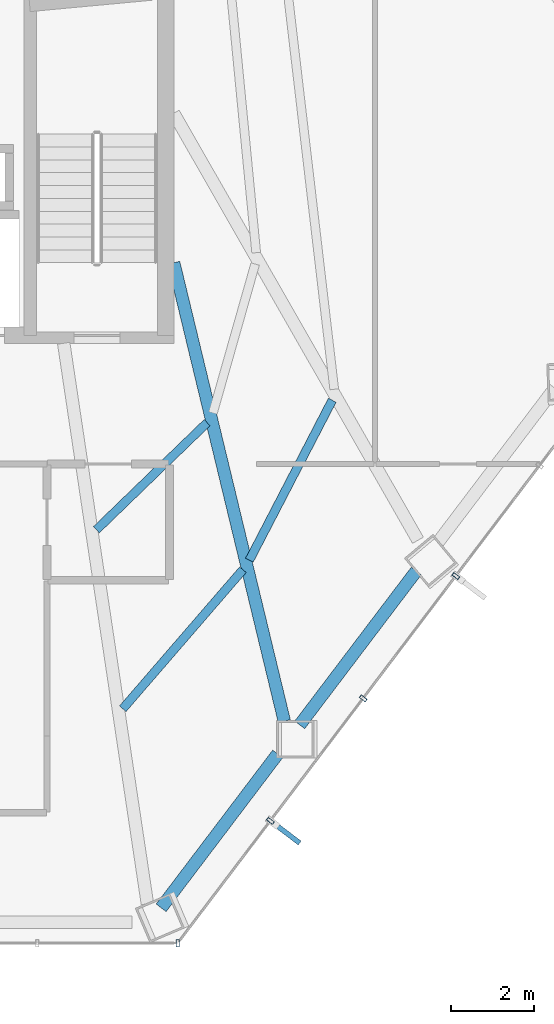
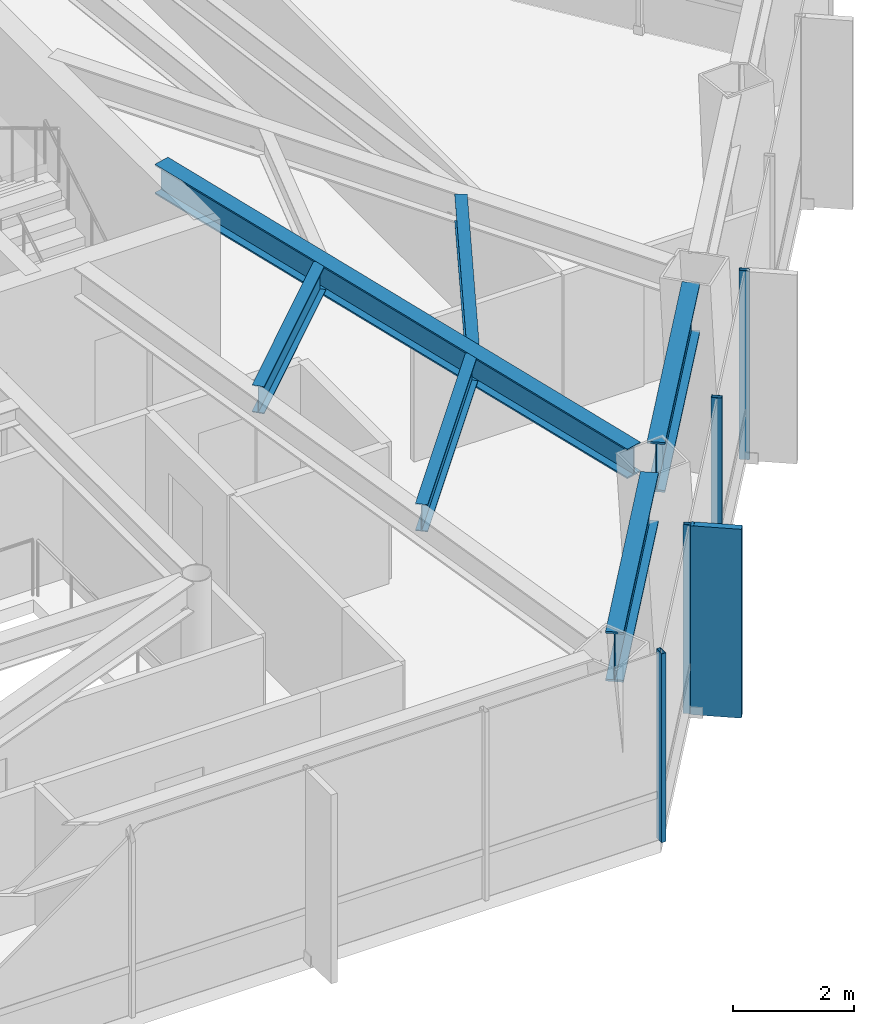
# One storey, part 17 of 27: 6 beams, 5 members, 2 elements without a shape of their own.
"""IFC4 building model written with IfcOpenShell, lengths in metres."""

from ifc_helpers import new_model, si_unit, direction, frame, origin, origin_2d, place, context, subcontext, project, spatial, rectangle, hollow_rectangle, i_section, extrude, material, layer, layer_set, material_profile, profile_set, type_object, element, aggregate, save


model = new_model("IFC4")

# Units and contexts
model_context = context("Model", 3, precision=1e-05, world=origin(), true_north=direction((0.0, 1.0)))
body_context = subcontext(model_context, "Body", "Model", "MODEL_VIEW")
ifc_project = project(units=[si_unit("LENGTHUNIT", "METRE"), si_unit("AREAUNIT", "SQUARE_METRE"), si_unit("VOLUMEUNIT", "CUBIC_METRE"), si_unit("PLANEANGLEUNIT", "RADIAN"), si_unit("MASSUNIT", "GRAM", prefix="KILO")], contexts=[model_context])

# Site, building, storey
site_placement = place(None, origin())
site = spatial("IfcSite", under=ifc_project, at=site_placement, CompositionType="ELEMENT")
building_placement = place(site_placement, origin())
building = spatial("IfcBuilding", under=site, at=building_placement, Name="Zarrinselat Tower", CompositionType="ELEMENT")
storey_placement = place(building_placement, frame((0.0, 0.0, 80.580078125)))
storey = spatial("IfcBuildingStorey", under=building, at=storey_placement, Name="L19", CompositionType="ELEMENT", Elevation=80.580078125)

# Beams
ifc_material_1 = material(Name="Steel S355J2", Category="steel")
ifc_material_profile_1 = material_profile(ifc_material_1, i_section(OverallWidth=0.300048828125, OverallDepth=0.60009765625, WebThickness=0.015380859375, FlangeThickness=0.030029296875, at=origin_2d()), Name="HEB 600")
ifc_profile_set_1 = profile_set([ifc_material_profile_1], Name="Steel S355J2")
beam_type_1 = type_object("IfcBeamType", Name="BM-HEB600", PredefinedType="BEAM", material=ifc_profile_set_1)
beam_1_placement = place(storey_placement, frame((48.449951171875, 35.0, 3.52001953125), z_axis=(0.234533399442, -0.972108062175, 0.0), x_axis=(0.972108062175, 0.234533399442, 0.0)))
element("IfcBeam", 1, at=beam_1_placement, inside=storey, type_object=beam_type_1, Name="L19 Radial Primary Girder RG12", PredefinedType="BEAM", context=body_context, shape_type="SweptSolid", body=[
    extrude(i_section(OverallWidth=0.300048828125, OverallDepth=0.60009765625, WebThickness=0.015380859375, FlangeThickness=0.030029296875, at=origin_2d()), origin(), (0.0, 0.0, 1.0), 11.361083984375),
])
ifc_material_2 = material(Name="Steel S460M", Category="steel")
ifc_material_profile_2 = material_profile(ifc_material_2, i_section(OverallWidth=0.302001953125, OverallDepth=1.008056640625, WebThickness=0.02099609375, FlangeThickness=0.0400390625, at=origin_2d()), Name="HEM 1000")
ifc_profile_set_2 = profile_set([ifc_material_profile_2], Name="Steel S460M")
beam_type_2 = type_object("IfcBeamType", Name="BM-HEM1000", PredefinedType="BEAM", material=ifc_profile_set_2)
for number, where, z_axis, x_axis, name in (
    (2, (48.147216796875, 19.458984375, 3.31591796875), (0.603797060273, 0.797138074618, 0.0), (-0.797138074618, 0.603797060273, 0.0), "L19 Perimeter Spandrel Girder SP11"),
    (3, (51.485107421875, 23.865478515625, 3.31591796875), (0.603855667107, 0.797093679126, 0.0), (-0.797093679126, 0.603855667107, 0.0), "L19 Perimeter Spandrel Girder SP12"),
):
    element("IfcBeam", number, at=place(storey_placement, frame(where, z_axis=z_axis, x_axis=x_axis)), inside=storey, type_object=beam_type_2, Name=name, PredefinedType="BEAM", context=body_context, shape_type="SweptSolid", body=[
        extrude(i_section(OverallWidth=0.302001953125, OverallDepth=1.008056640625, WebThickness=0.02099609375, FlangeThickness=0.0400390625, at=origin_2d()), origin(), (0.0, 0.0, 1.0), 4.65185546875),
    ])
ifc_material_3 = material(Name="Steel S355J2", Category="steel")
ifc_material_profile_3 = material_profile(ifc_material_3, i_section(OverallWidth=0.2099609375, OverallDepth=0.550048828125, WebThickness=0.010986328125, FlangeThickness=0.01708984375, at=origin_2d()), Name="IPE 550")
ifc_profile_set_3 = profile_set([ifc_material_profile_3], Name="Steel S355J2")
beam_type_3 = type_object("IfcBeamType", Name="BM-IPE550", PredefinedType="JOIST", material=ifc_profile_set_3)
beam_2_placement = place(storey_placement, frame((47.221923828125, 24.25390625, 3.544921875), z_axis=(0.653796401675, 0.756670512943, 0.0), x_axis=(-0.756670512943, 0.653796401675, 0.0)))
element("IfcBeam", 4, at=beam_2_placement, inside=storey, type_object=beam_type_3, Name="L19 Composite Floor Joist 3-1", PredefinedType="JOIST", context=body_context, shape_type="SweptSolid", body=[
    extrude(i_section(OverallWidth=0.2099609375, OverallDepth=0.550048828125, WebThickness=0.010986328125, FlangeThickness=0.01708984375, at=origin_2d()), origin(), (0.0, 0.0, 1.0), 4.428466796875),
])
beam_3_placement = place(storey_placement, frame((46.5859375, 28.56640625, 3.544921875), z_axis=(0.718874470897, 0.695139910444, 0.0), x_axis=(-0.695139910444, 0.718874470897, 0.0)))
element("IfcBeam", 5, at=beam_3_placement, inside=storey, type_object=beam_type_3, Name="L19 Composite Floor Joist 3-2", PredefinedType="JOIST", context=body_context, shape_type="SweptSolid", body=[
    extrude(i_section(OverallWidth=0.2099609375, OverallDepth=0.550048828125, WebThickness=0.010986328125, FlangeThickness=0.01708984375, at=origin_2d()), origin(), (0.0, 0.0, 1.0), 3.71337890625),
])
beam_4_placement = place(storey_placement, frame((50.27294921875, 27.835205078125, 3.544921875), z_axis=(0.460108562428, 0.887862664369, 0.0), x_axis=(-0.887862664369, 0.460108562428, 0.0)))
element("IfcBeam", 6, at=beam_4_placement, inside=storey, type_object=beam_type_3, Name="L19 Composite Floor Joist 4-1", PredefinedType="JOIST", context=body_context, shape_type="SweptSolid", body=[
    extrude(i_section(OverallWidth=0.2099609375, OverallDepth=0.550048828125, WebThickness=0.010986328125, FlangeThickness=0.01708984375, at=origin_2d()), origin(), (0.0, 0.0, 1.0), 4.3388671875),
])

# Curtain wall, member
ifc_material_4 = material(Name="Extruded Aluminium Alloy EN AW-6063 T6", Category="aluminium")
ifc_layer = layer(ifc_material_4, 0.18505859375)
ifc_layer_set = layer_set([ifc_layer], Name="Extruded Aluminium Alloy EN AW-6063 T6")
curtain_wall_type = type_object("IfcCurtainWallType", Name="CWS-OFF", PredefinedType="NOTDEFINED", material=ifc_layer_set)
curtain_wall_1_placement = place(storey_placement, origin())
curtain_wall_1 = element("IfcCurtainWall", 7, at=curtain_wall_1_placement, inside=storey, type_object=curtain_wall_type, Name="L19 Unitised Curtain Wall CW-L19-E04", PredefinedType="NOTDEFINED")
ifc_material_5 = material(Name="Extruded Aluminium Alloy EN AW-6063 T6", Category="aluminium")
ifc_material_profile_4 = material_profile(ifc_material_5, hollow_rectangle(XDim=0.080078125, YDim=0.179931640625, WallThickness=0.0048828125, at=origin_2d()), Name="RHS 180x80x5")
ifc_profile_set_4 = profile_set([ifc_material_profile_4], Name="Extruded Aluminium Alloy EN AW-6063 T6")
member_type_1 = type_object("IfcMemberType", Name="MEM-CW-MUL", PredefinedType="MULLION", material=ifc_profile_set_4)
member_1_placement = place(storey_placement, frame((48.545166015625, 18.60498046875, 0.0), z_axis=(0.0, 0.0, 1.0), x_axis=(1.0, 0.0, 0.0)))
member_1 = element("IfcMember", 8, at=member_1_placement, type_object=member_type_1, Name="CW-L19-E04 Mullion 7", PredefinedType="MULLION", context=body_context, shape_type="SweptSolid", body=[
    extrude(hollow_rectangle(XDim=0.080078125, YDim=0.179931640625, WallThickness=0.0048828125, at=origin_2d()), origin(), (0.0, 0.0, 1.0), 3.81982421875),
])
aggregate(curtain_wall_1, [member_1])

# Curtain wall, members
curtain_wall_2_placement = place(storey_placement, origin())
curtain_wall_2 = element("IfcCurtainWall", 9, at=curtain_wall_2_placement, inside=storey, type_object=curtain_wall_type, Name="L19 Unitised Curtain Wall CW-L19-E05", PredefinedType="NOTDEFINED")
member_2_placement = place(storey_placement, frame((50.779541015625, 21.55419921875, 0.0), z_axis=(0.0, 0.0, 1.0), x_axis=(0.603855086386, 0.797094119063, 0.0)))
member_2 = element("IfcMember", 10, at=member_2_placement, type_object=member_type_1, Name="CW-L19-E05 Mullion 1", PredefinedType="MULLION", context=body_context, shape_type="SweptSolid", body=[
    extrude(hollow_rectangle(XDim=0.080078125, YDim=0.179931640625, WallThickness=0.0048828125, at=origin_2d()), origin(), (0.0, 0.0, 1.0), 3.81982421875),
])
member_3_placement = place(storey_placement, frame((53.013916015625, 24.50390625, 0.0), z_axis=(0.0, 0.0, 1.0), x_axis=(0.603855086386, 0.797094119063, 0.0)))
member_3 = element("IfcMember", 11, at=member_3_placement, type_object=member_type_1, Name="CW-L19-E05 Mullion 2", PredefinedType="MULLION", context=body_context, shape_type="SweptSolid", body=[
    extrude(hollow_rectangle(XDim=0.080078125, YDim=0.179931640625, WallThickness=0.0048828125, at=origin_2d()), origin(), (0.0, 0.0, 1.0), 3.81982421875),
])
member_4_placement = place(storey_placement, frame((55.24853515625, 27.453369140625, 0.0), z_axis=(0.0, 0.0, 1.0), x_axis=(0.603855086386, 0.797094119063, 0.0)))
member_4 = element("IfcMember", 12, at=member_4_placement, type_object=member_type_1, Name="CW-L19-E05 Mullion 3", PredefinedType="MULLION", context=body_context, shape_type="SweptSolid", body=[
    extrude(hollow_rectangle(XDim=0.080078125, YDim=0.179931640625, WallThickness=0.0048828125, at=origin_2d()), origin(), (0.0, 0.0, 1.0), 3.81982421875),
])
ifc_material_6 = material(Name="Honed Cream Travertine Stone", Category="masonry")
ifc_material_profile_5 = material_profile(ifc_material_6, rectangle(XDim=0.1201171875, YDim=0.85009765625, at=origin_2d()), Name="FIN 850x120")
ifc_profile_set_5 = profile_set([ifc_material_profile_5], Name="Honed Cream Travertine Stone")
member_type_2 = type_object("IfcMemberType", Name="MEM-STONE-FIN", PredefinedType="USERDEFINED", material=ifc_profile_set_5)
member_5_placement = place(storey_placement, frame((51.146240234375, 21.276611328125, 0.0), z_axis=(0.0, 0.0, 1.0), x_axis=(-0.603855086386, -0.797094119063, 0.0)))
member_5 = element("IfcMember", 13, at=member_5_placement, type_object=member_type_2, Name="L19 Stone Shading Fin CW-L19-E05-01", ObjectType="FIN", PredefinedType="USERDEFINED", context=body_context, shape_type="SweptSolid", body=[
    extrude(rectangle(XDim=0.1201171875, YDim=0.85009765625, at=origin_2d()), origin(), (0.0, 0.0, 1.0), 3.81982421875),
])
aggregate(curtain_wall_2, [member_2, member_5, member_3, member_4])

save(model, "model.ifc")
